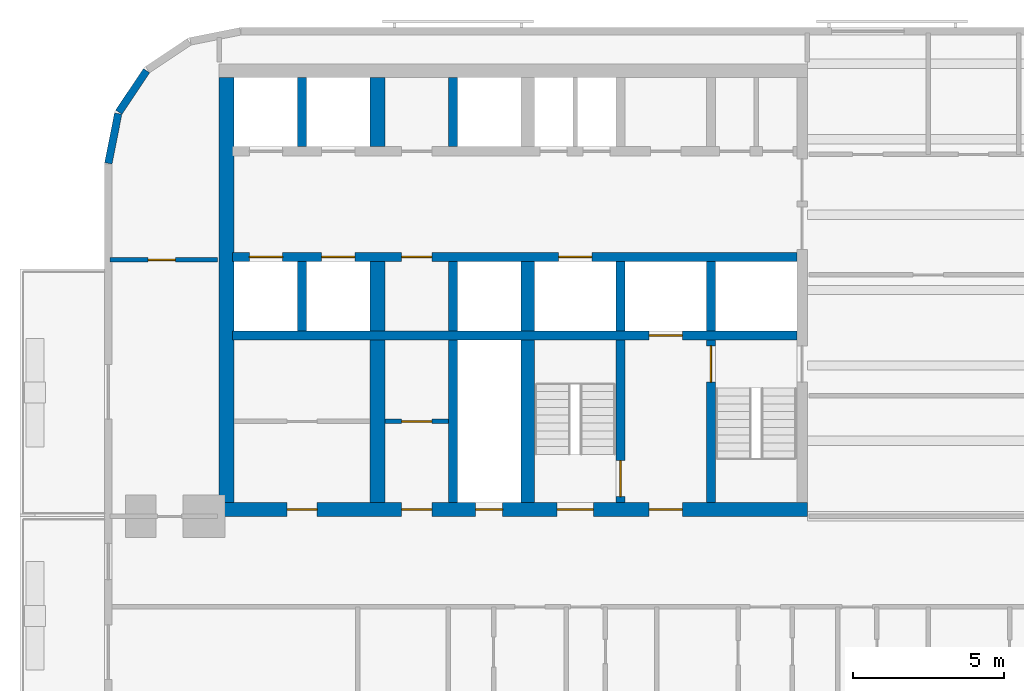
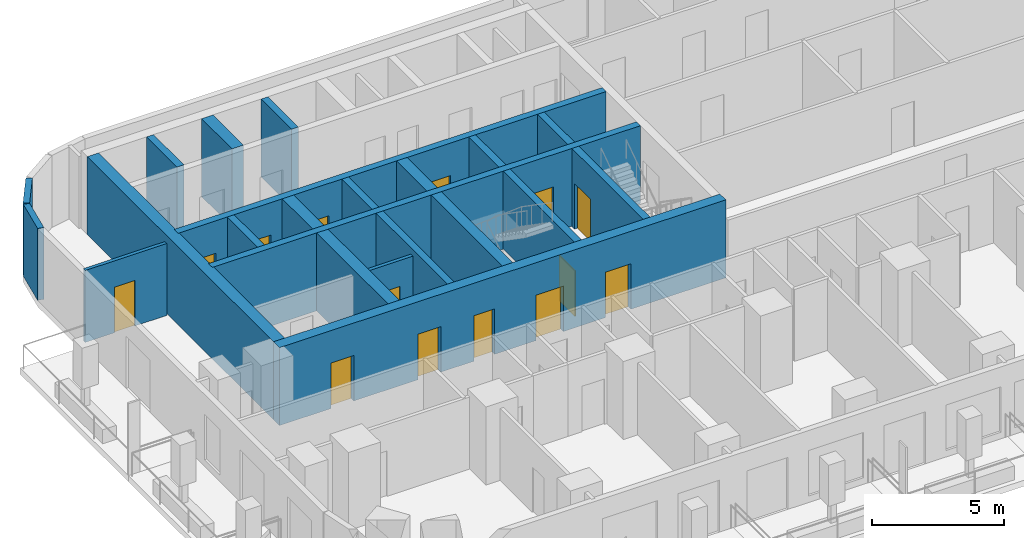
# One storey, part 3 of 15: 22 walls, 14 doors, 14 openings.
"""IFC4 building model written with IfcOpenShell, lengths in metres."""

from ifc_helpers import new_model, si_unit, direction, frame, frame_2d, origin, place, context, subcontext, project, spatial, rectangle, extrude, material, layer, layer_set, type_object, element, fill, save


model = new_model("IFC4")

# Units and contexts
model_context = context("Model", 3, precision=1e-05, world=origin(), true_north=direction((0.0, 1.0)))
body_context = subcontext(model_context, "Body", "Model", "MODEL_VIEW")
ifc_project = project(units=[si_unit("LENGTHUNIT", "METRE"), si_unit("AREAUNIT", "SQUARE_METRE"), si_unit("VOLUMEUNIT", "CUBIC_METRE"), si_unit("PLANEANGLEUNIT", "RADIAN"), si_unit("MASSUNIT", "GRAM", prefix="KILO")], contexts=[model_context])

# Site, building, storey
site_placement = place(None, origin())
site = spatial("IfcSite", under=ifc_project, at=site_placement, CompositionType="ELEMENT")
building_placement = place(site_placement, origin())
building = spatial("IfcBuilding", under=site, at=building_placement, Name="Torana Hotel and Residences", CompositionType="ELEMENT")
storey_placement = place(building_placement, frame((0.0, 0.0, 67.199951171875)))
storey = spatial("IfcBuildingStorey", under=building, at=storey_placement, Name="L16", CompositionType="ELEMENT", Elevation=67.199951171875)

# Wall, openings, doors
ifc_material_1 = material(Name="Concrete C80/95", Category="concrete")
ifc_layer_1 = layer(ifc_material_1, 0.300048828125)
ifc_layer_set_1 = layer_set([ifc_layer_1], Name="CORE WALL 300 C80/95")
wall_type_1 = type_object("IfcWallType", Name="CORE WALL 300 C80/95", PredefinedType="SHEAR", material=ifc_layer_set_1)
wall_1_placement = place(storey_placement, frame((-29.050048828125, -6.39990234375, 0.0), z_axis=(0.0, 0.0, 1.0), x_axis=(1.0, 0.0, 0.0)))
wall_1 = element("IfcWall", 1, at=wall_1_placement, inside=storey, type_object=wall_type_1, Name="Core wall W row-S", PredefinedType="SHEAR", context=body_context, shape_type="SweptSolid", body=[
    extrude(rectangle(XDim=18.699951171875, YDim=0.300048828125, at=frame_2d((9.35009765625, 0.0))), origin(), (0.0, 0.0, 1.0), 3.60009765625),
])
opening_1_placement = place(wall_1_placement, frame((2.949951171875, 0.0, 0.0)))
opening_1 = element("IfcOpeningElement", 2, at=opening_1_placement, cuts=wall_1, Name="Opening LD", PredefinedType="OPENING", context=body_context, shape_type="SweptSolid", body=[
    extrude(rectangle(XDim=1.10009765625, YDim=2.10009765625, at=frame_2d((0.550048828125, 1.050048828125))), frame((0.0, 0.159912109375, 0.0), z_axis=(0.0, -1.0, 0.0), x_axis=(1.0, 0.0, 0.0)), (0.0, 0.0, 1.0), 0.320068359375),
])
opening_2_placement = place(wall_1_placement, frame((0.550048828125, 0.0, 0.0)))
opening_2 = element("IfcOpeningElement", 3, at=opening_2_placement, cuts=wall_1, Name="Opening LD", PredefinedType="OPENING", context=body_context, shape_type="SweptSolid", body=[
    extrude(rectangle(XDim=1.10009765625, YDim=2.10009765625, at=frame_2d((0.550048828125, 1.050048828125))), frame((0.0, 0.159912109375, 0.0), z_axis=(0.0, -1.0, 0.0), x_axis=(1.0, 0.0, 0.0)), (0.0, 0.0, 1.0), 0.320068359375),
])
opening_3_placement = place(wall_1_placement, frame((10.800048828125, 0.0, 0.0)))
opening_3 = element("IfcOpeningElement", 4, at=opening_3_placement, cuts=wall_1, Name="Opening LD", PredefinedType="OPENING", context=body_context, shape_type="SweptSolid", body=[
    extrude(rectangle(XDim=1.10009765625, YDim=2.10009765625, at=frame_2d((0.550048828125, 1.050048828125))), frame((0.0, 0.159912109375, 0.0), z_axis=(0.0, -1.0, 0.0), x_axis=(1.0, 0.0, 0.0)), (0.0, 0.0, 1.0), 0.320068359375),
])
opening_4_placement = place(wall_1_placement, frame((5.60009765625, 0.0, 0.0)))
opening_4 = element("IfcOpeningElement", 5, at=opening_4_placement, cuts=wall_1, Name="Opening L16-15", PredefinedType="OPENING", context=body_context, shape_type="SweptSolid", body=[
    extrude(rectangle(XDim=1.0, YDim=2.10009765625, at=frame_2d((0.5, 1.050048828125))), frame((0.0, 0.159912109375, 0.0), z_axis=(0.0, -1.0, 0.0), x_axis=(1.0, 0.0, 0.0)), (0.0, 0.0, 1.0), 0.320068359375),
])
ifc_material_2 = material(Name="Steel S235", Category="steel")
door_type_1 = type_object("IfcDoorType", Name="CORE ROOM FIRE DOOR D14 1000x2100", OperationType="SINGLE_SWING_LEFT", PredefinedType="DOOR", material=ifc_material_2)
door_1_placement = place(opening_4_placement, frame((0.5, 0.0, 0.0), z_axis=(0.0, 0.0, 1.0), x_axis=(-1.0, 0.0, 0.0)))
door_1 = element("IfcDoor", 6, at=door_1_placement, inside=storey, type_object=door_type_1, Name="Free-M2 door L16", OperationType="SINGLE_SWING_LEFT", OverallHeight=2.10009765625, OverallWidth=1.0, PredefinedType="DOOR", context=body_context, shape_type="SweptSolid", body=[
    extrude(rectangle(XDim=1.0, YDim=2.10009765625, at=frame_2d((0.0, 1.050048828125))), frame((0.0, -0.02490234375, 0.0), z_axis=(0.0, 1.0, 0.0), x_axis=(-1.0, 0.0, 0.0)), (0.0, 0.0, 1.0), 0.050048828125),
])
fill(opening_4, door_1)
ifc_material_3 = material(Name="Stainless steel 316", Category="steel")
door_type_2 = type_object("IfcDoorType", Name="LIFT LANDING DOOR LD 1100x2100", OperationType="DOUBLE_DOOR_SLIDING", PredefinedType="USERDEFINED", material=ifc_material_3)
door_2_placement = place(opening_1_placement, origin())
door_2 = element("IfcDoor", 7, at=door_2_placement, inside=storey, type_object=door_type_2, Name="Lift landing door L3 L16", ObjectType="LIFT LANDING DOOR", OperationType="DOUBLE_DOOR_SLIDING", OverallHeight=2.10009765625, OverallWidth=1.10009765625, PredefinedType="USERDEFINED", context=body_context, shape_type="SweptSolid", body=[
    extrude(rectangle(XDim=1.10009765625, YDim=2.10009765625, at=frame_2d((0.550048828125, 1.050048828125))), frame((0.0, 0.02490234375, 0.0), z_axis=(0.0, -1.0, 0.0), x_axis=(1.0, 0.0, 0.0)), (0.0, 0.0, 1.0), 0.050048828125),
])
fill(opening_1, door_2)
door_3_placement = place(opening_2_placement, origin())
door_3 = element("IfcDoor", 8, at=door_3_placement, inside=storey, type_object=door_type_2, Name="Lift landing door L4 L16", ObjectType="LIFT LANDING DOOR", OperationType="DOUBLE_DOOR_SLIDING", OverallHeight=2.10009765625, OverallWidth=1.10009765625, PredefinedType="USERDEFINED", context=body_context, shape_type="SweptSolid", body=[
    extrude(rectangle(XDim=1.10009765625, YDim=2.10009765625, at=frame_2d((0.550048828125, 1.050048828125))), frame((0.0, 0.02490234375, 0.0), z_axis=(0.0, -1.0, 0.0), x_axis=(1.0, 0.0, 0.0)), (0.0, 0.0, 1.0), 0.050048828125),
])
fill(opening_2, door_3)
door_4_placement = place(opening_3_placement, origin())
door_4 = element("IfcDoor", 9, at=door_4_placement, inside=storey, type_object=door_type_2, Name="Lift landing door SV1 L16", ObjectType="LIFT LANDING DOOR", OperationType="DOUBLE_DOOR_SLIDING", OverallHeight=2.10009765625, OverallWidth=1.10009765625, PredefinedType="USERDEFINED", context=body_context, shape_type="SweptSolid", body=[
    extrude(rectangle(XDim=1.10009765625, YDim=2.10009765625, at=frame_2d((0.550048828125, 1.050048828125))), frame((0.0, 0.02490234375, 0.0), z_axis=(0.0, -1.0, 0.0), x_axis=(1.0, 0.0, 0.0)), (0.0, 0.0, 1.0), 0.050048828125),
])
fill(opening_3, door_4)

# Wall, opening, door
wall_2_placement = place(storey_placement, frame((-29.050048828125, -9.0, 0.0), z_axis=(0.0, 0.0, 1.0), x_axis=(1.0, 0.0, 0.0)))
wall_2 = element("IfcWall", 10, at=wall_2_placement, inside=storey, type_object=wall_type_1, Name="Core wall W band", PredefinedType="SHEAR", context=body_context, shape_type="SweptSolid", body=[
    extrude(rectangle(XDim=18.699951171875, YDim=0.300048828125, at=frame_2d((9.35009765625, 0.0))), origin(), (0.0, 0.0, 1.0), 3.60009765625),
])
opening_5_placement = place(wall_2_placement, frame((13.800048828125, 0.0, 0.0)))
opening_5 = element("IfcOpeningElement", 11, at=opening_5_placement, cuts=wall_2, Name="Opening LD", PredefinedType="OPENING", context=body_context, shape_type="SweptSolid", body=[
    extrude(rectangle(XDim=1.10009765625, YDim=2.10009765625, at=frame_2d((0.550048828125, 1.050048828125))), frame((0.0, 0.159912109375, 0.0), z_axis=(0.0, -1.0, 0.0), x_axis=(1.0, 0.0, 0.0)), (0.0, 0.0, 1.0), 0.320068359375),
])
door_5_placement = place(opening_5_placement, origin())
door_5 = element("IfcDoor", 12, at=door_5_placement, inside=storey, type_object=door_type_2, Name="Lift landing door FF1 L16", ObjectType="LIFT LANDING DOOR", OperationType="DOUBLE_DOOR_SLIDING", OverallHeight=2.10009765625, OverallWidth=1.10009765625, PredefinedType="USERDEFINED", context=body_context, shape_type="SweptSolid", body=[
    extrude(rectangle(XDim=1.10009765625, YDim=2.10009765625, at=frame_2d((0.550048828125, 1.050048828125))), frame((0.0, 0.02490234375, 0.0), z_axis=(0.0, -1.0, 0.0), x_axis=(1.0, 0.0, 0.0)), (0.0, 0.0, 1.0), 0.050048828125),
])
fill(opening_5, door_5)

# Wall
wall_3_placement = place(storey_placement, frame((-13.199951171875, -8.85009765625, 0.0), z_axis=(0.0, 0.0, 1.0), x_axis=(0.0, 1.0, 0.0)))
element("IfcWall", 13, at=wall_3_placement, inside=storey, type_object=wall_type_1, Name="Core wall W x3.05-S", PredefinedType="SHEAR", context=body_context, shape_type="SweptSolid", body=[
    extrude(rectangle(XDim=2.300048828125, YDim=0.300048828125, at=frame_2d((1.14990234375, 0.0))), origin(), (0.0, 0.0, 1.0), 3.60009765625),
])

# Wall, opening, door
wall_4_placement = place(storey_placement, frame((-13.199951171875, -14.550048828125, 0.0), z_axis=(0.0, 0.0, 1.0), x_axis=(0.0, 1.0, 0.0)))
wall_4 = element("IfcWall", 14, at=wall_4_placement, inside=storey, type_object=wall_type_1, Name="Core wall W x3.05-band", PredefinedType="SHEAR", context=body_context, shape_type="SweptSolid", body=[
    extrude(rectangle(XDim=5.400146484375, YDim=0.300048828125, at=frame_2d((2.7001953125, 0.0))), origin(), (0.0, 0.0, 1.0), 3.60009765625),
])
opening_6_placement = place(wall_4_placement, frame((4.0, 0.0, 0.0)))
opening_6 = element("IfcOpeningElement", 15, at=opening_6_placement, cuts=wall_4, Name="Opening L16-16", PredefinedType="OPENING", context=body_context, shape_type="SweptSolid", body=[
    extrude(rectangle(XDim=1.199951171875, YDim=2.10009765625, at=frame_2d((0.60009765625, 1.050048828125))), frame((0.0, 0.159912109375, 0.0), z_axis=(0.0, -1.0, 0.0), x_axis=(1.0, 0.0, 0.0)), (0.0, 0.0, 1.0), 0.320068359375),
])
ifc_material_4 = material(Name="Steel S235", Category="steel")
door_type_3 = type_object("IfcDoorType", Name="STAIR FIRE DOOR D3 1200x2100", OperationType="SINGLE_SWING_LEFT", PredefinedType="DOOR", material=ifc_material_4)
door_6_placement = place(opening_6_placement, frame((0.60009765625, 0.0, 0.0), z_axis=(0.0, 0.0, 1.0), x_axis=(-1.0, 0.0, 0.0)))
door_6 = element("IfcDoor", 16, at=door_6_placement, inside=storey, type_object=door_type_3, Name="Stair-A-lobby door L16", OperationType="SINGLE_SWING_RIGHT", OverallHeight=2.10009765625, OverallWidth=1.199951171875, PredefinedType="DOOR", context=body_context, shape_type="SweptSolid", body=[
    extrude(rectangle(XDim=1.199951171875, YDim=2.10009765625, at=frame_2d((0.0, 1.050048828125))), frame((0.0, -0.02490234375, 0.0), z_axis=(0.0, 1.0, 0.0), x_axis=(-1.0, 0.0, 0.0)), (0.0, 0.0, 1.0), 0.050048828125),
])
fill(opening_6, door_6)

# Wall
wall_5_placement = place(storey_placement, frame((-16.199951171875, -8.85009765625, 0.0), z_axis=(0.0, 0.0, 1.0), x_axis=(0.0, 1.0, 0.0)))
element("IfcWall", 17, at=wall_5_placement, inside=storey, type_object=wall_type_1, Name="Core wall W x6.05-S", PredefinedType="SHEAR", context=body_context, shape_type="SweptSolid", body=[
    extrude(rectangle(XDim=2.300048828125, YDim=0.300048828125, at=frame_2d((1.14990234375, 0.0))), origin(), (0.0, 0.0, 1.0), 3.60009765625),
])

# Wall, opening, door
wall_6_placement = place(storey_placement, frame((-16.199951171875, -14.550048828125, 0.0), z_axis=(0.0, 0.0, 1.0), x_axis=(0.0, 1.0, 0.0)))
wall_6 = element("IfcWall", 18, at=wall_6_placement, inside=storey, type_object=wall_type_1, Name="Core wall W x6.05-band", PredefinedType="SHEAR", context=body_context, shape_type="SweptSolid", body=[
    extrude(rectangle(XDim=5.400146484375, YDim=0.300048828125, at=frame_2d((2.7001953125, 0.0))), origin(), (0.0, 0.0, 1.0), 3.60009765625),
])
opening_7_placement = place(wall_6_placement, frame((0.199951171875, 0.0, 0.0)))
opening_7 = element("IfcOpeningElement", 19, at=opening_7_placement, cuts=wall_6, Name="Opening L16-17", PredefinedType="OPENING", context=body_context, shape_type="SweptSolid", body=[
    extrude(rectangle(XDim=1.199951171875, YDim=2.10009765625, at=frame_2d((0.60009765625, 1.050048828125))), frame((0.0, 0.159912109375, 0.0), z_axis=(0.0, -1.0, 0.0), x_axis=(1.0, 0.0, 0.0)), (0.0, 0.0, 1.0), 0.320068359375),
])
door_7_placement = place(opening_7_placement, origin())
door_7 = element("IfcDoor", 20, at=door_7_placement, inside=storey, type_object=door_type_3, Name="Stair-B-lobby door L16", OperationType="SINGLE_SWING_RIGHT", OverallHeight=2.10009765625, OverallWidth=1.199951171875, PredefinedType="DOOR", context=body_context, shape_type="SweptSolid", body=[
    extrude(rectangle(XDim=1.199951171875, YDim=2.10009765625, at=frame_2d((0.60009765625, 1.050048828125))), frame((0.0, 0.02490234375, 0.0), z_axis=(0.0, -1.0, 0.0), x_axis=(1.0, 0.0, 0.0)), (0.0, 0.0, 1.0), 0.050048828125),
])
fill(opening_7, door_7)

# Walls
for number, where, z_axis, x_axis, name in (
    (21, (-21.75, -2.75, 0.0), (0.0, 0.0, 1.0), (0.0, 1.0, 0.0), "Core wall W mm-N"),
    (22, (-21.75, -8.85009765625, 0.0), (0.0, 0.0, 1.0), (0.0, 1.0, 0.0), "Core wall W mm-S"),
):
    element("IfcWall", number, at=place(storey_placement, frame(where, z_axis=z_axis, x_axis=x_axis)), inside=storey, type_object=wall_type_1, Name=name, PredefinedType="SHEAR", context=body_context, shape_type="SweptSolid", body=[
        extrude(rectangle(XDim=2.300048828125, YDim=0.300048828125, at=frame_2d((1.14990234375, 0.0))), origin(), (0.0, 0.0, 1.0), 3.60009765625),
    ])
wall_7_placement = place(storey_placement, frame((-21.75, -14.550048828125, 0.0), z_axis=(0.0, 0.0, 1.0), x_axis=(0.0, 1.0, 0.0)))
element("IfcWall", 23, at=wall_7_placement, inside=storey, type_object=wall_type_1, Name="Core wall W mm-band", PredefinedType="SHEAR", context=body_context, shape_type="SweptSolid", body=[
    extrude(rectangle(XDim=5.400146484375, YDim=0.300048828125, at=frame_2d((2.7001953125, 0.0))), origin(), (0.0, 0.0, 1.0), 3.60009765625),
])
for number, where, z_axis, x_axis, name in (
    (24, (-26.75, -2.75, 0.0), (0.0, 0.0, 1.0), (0.0, 1.0, 0.0), "Core wall W ll-N"),
    (25, (-26.75, -8.85009765625, 0.0), (0.0, 0.0, 1.0), (0.0, 1.0, 0.0), "Core wall W ll-S"),
):
    element("IfcWall", number, at=place(storey_placement, frame(where, z_axis=z_axis, x_axis=x_axis)), inside=storey, type_object=wall_type_1, Name=name, PredefinedType="SHEAR", context=body_context, shape_type="SweptSolid", body=[
        extrude(rectangle(XDim=2.300048828125, YDim=0.300048828125, at=frame_2d((1.14990234375, 0.0))), origin(), (0.0, 0.0, 1.0), 3.60009765625),
    ])

# Wall, openings, doors
ifc_material_5 = material(Name="Concrete C80/95", Category="concrete")
ifc_layer_2 = layer(ifc_material_5, 0.449951171875)
ifc_layer_set_2 = layer_set([ifc_layer_2], Name="CORE WALL 450 C80/95")
wall_type_2 = type_object("IfcWallType", Name="CORE WALL 450 C80/95", PredefinedType="SHEAR", material=ifc_layer_set_2)
wall_8_placement = place(storey_placement, frame((-29.5, -14.77490234375, 0.0), z_axis=(0.0, 0.0, 1.0), x_axis=(1.0, 0.0, 0.0)))
wall_8 = element("IfcWall", 26, at=wall_8_placement, inside=storey, type_object=wall_type_2, Name="Core wall W front", PredefinedType="SHEAR", context=body_context, shape_type="SweptSolid", body=[
    extrude(rectangle(XDim=19.5, YDim=0.449951171875, at=frame_2d((9.75, 0.0))), origin(), (0.0, 0.0, 1.0), 3.60009765625),
])
opening_8_placement = place(wall_8_placement, frame((11.199951171875, 0.0, 0.0)))
opening_8 = element("IfcOpeningElement", 27, at=opening_8_placement, cuts=wall_8, Name="Opening L16-04", PredefinedType="OPENING", context=body_context, shape_type="SweptSolid", body=[
    extrude(rectangle(XDim=1.199951171875, YDim=2.10009765625, at=frame_2d((0.60009765625, 1.050048828125))), frame((0.0, 0.23486328125, 0.0), z_axis=(0.0, -1.0, 0.0), x_axis=(1.0, 0.0, 0.0)), (0.0, 0.0, 1.0), 0.469970703125),
])
opening_9_placement = place(wall_8_placement, frame((14.25, 0.0, 0.0)))
opening_9 = element("IfcOpeningElement", 28, at=opening_9_placement, cuts=wall_8, Name="Opening L16-05", PredefinedType="OPENING", context=body_context, shape_type="SweptSolid", body=[
    extrude(rectangle(XDim=1.10009765625, YDim=2.10009765625, at=frame_2d((0.550048828125, 1.050048828125))), frame((0.0, 0.23486328125, 0.0), z_axis=(0.0, -1.0, 0.0), x_axis=(1.0, 0.0, 0.0)), (0.0, 0.0, 1.0), 0.469970703125),
])
opening_10_placement = place(wall_8_placement, frame((8.5, 0.0, 0.0)))
opening_10 = element("IfcOpeningElement", 29, at=opening_10_placement, cuts=wall_8, Name="Opening L16-06", PredefinedType="OPENING", context=body_context, shape_type="SweptSolid", body=[
    extrude(rectangle(XDim=0.89990234375, YDim=2.10009765625, at=frame_2d((0.449951171875, 1.050048828125))), frame((0.0, 0.23486328125, 0.0), z_axis=(0.0, -1.0, 0.0), x_axis=(1.0, 0.0, 0.0)), (0.0, 0.0, 1.0), 0.469970703125),
])
opening_11_placement = place(wall_8_placement, frame((6.050048828125, 0.0, 0.0)))
opening_11 = element("IfcOpeningElement", 30, at=opening_11_placement, cuts=wall_8, Name="Opening L16-07", PredefinedType="OPENING", context=body_context, shape_type="SweptSolid", body=[
    extrude(rectangle(XDim=1.0, YDim=2.10009765625, at=frame_2d((0.5, 1.050048828125))), frame((0.0, 0.23486328125, 0.0), z_axis=(0.0, -1.0, 0.0), x_axis=(1.0, 0.0, 0.0)), (0.0, 0.0, 1.0), 0.469970703125),
])
opening_12_placement = place(wall_8_placement, frame((2.25, 0.0, 0.0)))
opening_12 = element("IfcOpeningElement", 31, at=opening_12_placement, cuts=wall_8, Name="Opening L16-08", PredefinedType="OPENING", context=body_context, shape_type="SweptSolid", body=[
    extrude(rectangle(XDim=1.0, YDim=2.10009765625, at=frame_2d((0.5, 1.050048828125))), frame((0.0, 0.23486328125, 0.0), z_axis=(0.0, -1.0, 0.0), x_axis=(1.0, 0.0, 0.0)), (0.0, 0.0, 1.0), 0.469970703125),
])
door_8_placement = place(opening_11_placement, origin())
door_8 = element("IfcDoor", 32, at=door_8_placement, inside=storey, type_object=door_type_1, Name="M-Room-B door L16", OperationType="SINGLE_SWING_RIGHT", OverallHeight=2.10009765625, OverallWidth=1.0, PredefinedType="DOOR", context=body_context, shape_type="SweptSolid", body=[
    extrude(rectangle(XDim=1.0, YDim=2.10009765625, at=frame_2d((0.5, 1.050048828125))), frame((0.0, 0.02490234375, 0.0), z_axis=(0.0, -1.0, 0.0), x_axis=(1.0, 0.0, 0.0)), (0.0, 0.0, 1.0), 0.050048828125),
])
fill(opening_11, door_8)
door_9_placement = place(opening_12_placement, origin())
door_9 = element("IfcDoor", 33, at=door_9_placement, inside=storey, type_object=door_type_1, Name="L-B door L16", OperationType="SINGLE_SWING_RIGHT", OverallHeight=2.10009765625, OverallWidth=1.0, PredefinedType="DOOR", context=body_context, shape_type="SweptSolid", body=[
    extrude(rectangle(XDim=1.0, YDim=2.10009765625, at=frame_2d((0.5, 1.050048828125))), frame((0.0, 0.02490234375, 0.0), z_axis=(0.0, -1.0, 0.0), x_axis=(1.0, 0.0, 0.0)), (0.0, 0.0, 1.0), 0.050048828125),
])
fill(opening_12, door_9)
ifc_material_6 = material(Name="Steel S235", Category="steel")
door_type_4 = type_object("IfcDoorType", Name="FIRE-FIGHTING LOBBY DOOR D8 1100x2100", OperationType="SINGLE_SWING_LEFT", PredefinedType="DOOR", material=ifc_material_6)
door_10_placement = place(opening_9_placement, origin())
door_10 = element("IfcDoor", 34, at=door_10_placement, inside=storey, type_object=door_type_4, Name="FF-lobby door L16", OperationType="SINGLE_SWING_RIGHT", OverallHeight=2.10009765625, OverallWidth=1.10009765625, PredefinedType="DOOR", context=body_context, shape_type="SweptSolid", body=[
    extrude(rectangle(XDim=1.10009765625, YDim=2.10009765625, at=frame_2d((0.550048828125, 1.050048828125))), frame((0.0, 0.02490234375, 0.0), z_axis=(0.0, -1.0, 0.0), x_axis=(1.0, 0.0, 0.0)), (0.0, 0.0, 1.0), 0.050048828125),
])
fill(opening_9, door_10)
ifc_material_7 = material(Name="Steel S235", Category="steel")
door_type_5 = type_object("IfcDoorType", Name="RISER ACCESS DOOR D5 900x2100", OperationType="SINGLE_SWING_LEFT", PredefinedType="DOOR", material=ifc_material_7)
door_11_placement = place(opening_10_placement, origin())
door_11 = element("IfcDoor", 35, at=door_11_placement, inside=storey, type_object=door_type_5, Name="M-Riser door L16", OperationType="SINGLE_SWING_RIGHT", OverallHeight=2.10009765625, OverallWidth=0.89990234375, PredefinedType="DOOR", context=body_context, shape_type="SweptSolid", body=[
    extrude(rectangle(XDim=0.89990234375, YDim=2.10009765625, at=frame_2d((0.449951171875, 1.050048828125))), frame((0.0, 0.02490234375, 0.0), z_axis=(0.0, -1.0, 0.0), x_axis=(1.0, 0.0, 0.0)), (0.0, 0.0, 1.0), 0.050048828125),
])
fill(opening_10, door_11)
door_12_placement = place(opening_8_placement, origin())
door_12 = element("IfcDoor", 36, at=door_12_placement, inside=storey, type_object=door_type_3, Name="Stair-B door L16", OperationType="SINGLE_SWING_RIGHT", OverallHeight=2.10009765625, OverallWidth=1.199951171875, PredefinedType="DOOR", context=body_context, shape_type="SweptSolid", body=[
    extrude(rectangle(XDim=1.199951171875, YDim=2.10009765625, at=frame_2d((0.60009765625, 1.050048828125))), frame((0.0, 0.02490234375, 0.0), z_axis=(0.0, -1.0, 0.0), x_axis=(1.0, 0.0, 0.0)), (0.0, 0.0, 1.0), 0.050048828125),
])
fill(opening_8, door_12)

# Walls
wall_9_placement = place(storey_placement, frame((-19.27490234375, -8.85009765625, 0.0), z_axis=(0.0, 0.0, 1.0), x_axis=(0.0, 1.0, 0.0)))
element("IfcWall", 37, at=wall_9_placement, inside=storey, type_object=wall_type_2, Name="Core wall W hm-S", PredefinedType="SHEAR", context=body_context, shape_type="SweptSolid", body=[
    extrude(rectangle(XDim=2.300048828125, YDim=0.449951171875, at=frame_2d((1.14990234375, 0.0))), origin(), (0.0, 0.0, 1.0), 3.60009765625),
])
wall_10_placement = place(storey_placement, frame((-19.27490234375, -14.550048828125, 0.0), z_axis=(0.0, 0.0, 1.0), x_axis=(0.0, 1.0, 0.0)))
element("IfcWall", 38, at=wall_10_placement, inside=storey, type_object=wall_type_2, Name="Core wall W hm-band", PredefinedType="SHEAR", context=body_context, shape_type="SweptSolid", body=[
    extrude(rectangle(XDim=5.400146484375, YDim=0.449951171875, at=frame_2d((2.7001953125, 0.0))), origin(), (0.0, 0.0, 1.0), 3.60009765625),
])
ifc_material_8 = material(Name="Concrete C80/95", Category="concrete")
ifc_layer_3 = layer(ifc_material_8, 0.5)
ifc_layer_set_3 = layer_set([ifc_layer_3], Name="CORE WALL 500 C80/95")
wall_type_3 = type_object("IfcWallType", Name="CORE WALL 500 C80/95", PredefinedType="SHEAR", material=ifc_layer_set_3)
wall_11_placement = place(storey_placement, frame((-29.25, -14.550048828125, 0.0), z_axis=(0.0, 0.0, 1.0), x_axis=(0.0, 1.0, 0.0)))
element("IfcWall", 39, at=wall_11_placement, inside=storey, type_object=wall_type_3, Name="Core wall W outer", PredefinedType="SHEAR", context=body_context, shape_type="SweptSolid", body=[
    extrude(rectangle(XDim=14.10009765625, YDim=0.5, at=frame_2d((7.050048828125, 0.0))), origin(), (0.0, 0.0, 1.0), 3.60009765625),
])
for number, where, z_axis, x_axis, name in (
    (40, (-24.25, -2.75, 0.0), (0.0, 0.0, 1.0), (0.0, 1.0, 0.0), "Core wall W ml-N"),
    (41, (-24.25, -8.85009765625, 0.0), (0.0, 0.0, 1.0), (0.0, 1.0, 0.0), "Core wall W ml-S"),
):
    element("IfcWall", number, at=place(storey_placement, frame(where, z_axis=z_axis, x_axis=x_axis)), inside=storey, type_object=wall_type_3, Name=name, PredefinedType="SHEAR", context=body_context, shape_type="SweptSolid", body=[
        extrude(rectangle(XDim=2.300048828125, YDim=0.5, at=frame_2d((1.14990234375, 0.0))), origin(), (0.0, 0.0, 1.0), 3.60009765625),
    ])
wall_12_placement = place(storey_placement, frame((-24.25, -14.550048828125, 0.0), z_axis=(0.0, 0.0, 1.0), x_axis=(0.0, 1.0, 0.0)))
element("IfcWall", 42, at=wall_12_placement, inside=storey, type_object=wall_type_3, Name="Core wall W ml-band", PredefinedType="SHEAR", context=body_context, shape_type="SweptSolid", body=[
    extrude(rectangle(XDim=5.400146484375, YDim=0.5, at=frame_2d((2.7001953125, 0.0))), origin(), (0.0, 0.0, 1.0), 3.60009765625),
])
ifc_material_9 = material(Name="Black aluminium composite panel", Category="aluminium")
ifc_layer_4 = layer(ifc_material_9, 0.00390625, Name="Cladding", Category="cladding")
ifc_material_10 = material(Name="Ventilated air cavity")
ifc_layer_5 = layer(ifc_material_10, 0.0400390625, Name="Ventilated cavity", Category="cavity")
ifc_material_11 = material(Name="Mineral wool insulation")
ifc_layer_6 = layer(ifc_material_11, 0.090087890625, Name="Insulation", Category="insulation")
ifc_material_12 = material(Name="Steel S280GD", Category="steel")
ifc_layer_7 = layer(ifc_material_12, 0.092041015625, Name="Steel stud frame", Category="structure")
ifc_material_13 = material(Name="Fire rated plasterboard")
ifc_layer_8 = layer(ifc_material_13, 0.011962890625, Name="Inner board", Category="finish")
ifc_layer_9 = layer(ifc_material_13, 0.011962890625, Name="Second board", Category="finish")
ifc_layer_set_4 = layer_set([ifc_layer_4, ifc_layer_5, ifc_layer_6, ifc_layer_7, ifc_layer_8, ifc_layer_9], Name="EW1 EXTERNAL WALL BLACK METAL CLAD 250")
wall_type_4 = type_object("IfcWallType", Name="EW1 EXTERNAL WALL BLACK METAL CLAD 250", PredefinedType="SOLIDWALL", material=ifc_layer_set_4)
wall_13_placement = place(storey_placement, frame((-31.90576171875, -0.228759765625, 0.0), z_axis=(0.0, 0.0, 1.0), x_axis=(-0.55555029066, -0.831482937015, 0.0)))
element("IfcWall", 43, at=wall_13_placement, inside=storey, type_object=wall_type_4, Name="External wall L16 e0.7", PredefinedType="SOLIDWALL", context=body_context, shape_type="SweptSolid", body=[
    extrude(rectangle(XDim=1.65625, YDim=0.25, at=frame_2d((0.828125, 0.0))), origin(), (0.0, 0.0, 1.0), 3.320068359375),
])
wall_14_placement = place(storey_placement, frame((-32.844482421875, -1.651123046875, 0.0), z_axis=(0.0, 0.0, 1.0), x_axis=(-0.19513878023, -0.980775640221, 0.0)))
element("IfcWall", 44, at=wall_14_placement, inside=storey, type_object=wall_type_4, Name="External wall L16 e0.8", PredefinedType="SOLIDWALL", context=body_context, shape_type="SweptSolid", body=[
    extrude(rectangle(XDim=1.681396484375, YDim=0.25, at=frame_2d((0.8408203125, 0.0))), origin(), (0.0, 0.0, 1.0), 3.320068359375),
])

# Wall, opening, door
ifc_material_14 = material(Name="Gypsum plaster")
ifc_layer_10 = layer(ifc_material_14, 0.014892578125, Name="Plaster", Category="finish")
ifc_material_15 = material(Name="Concrete blockwork", Category="masonry")
ifc_layer_11 = layer(ifc_material_15, 0.1201171875, Name="Blockwork", Category="structure")
ifc_layer_12 = layer(ifc_material_14, 0.014892578125, Name="Plaster", Category="finish")
ifc_layer_set_5 = layer_set([ifc_layer_10, ifc_layer_11, ifc_layer_12], Name="FIRE PARTITION 150 BLOCKWORK")
wall_type_5 = type_object("IfcWallType", Name="FIRE PARTITION 150 BLOCKWORK", PredefinedType="PARTITIONING", material=ifc_layer_set_5)
wall_15_placement = place(storey_placement, frame((-24.0, -11.85009765625, 0.0), z_axis=(0.0, 0.0, 1.0), x_axis=(1.0, 0.0, 0.0)))
wall_15 = element("IfcWall", 45, at=wall_15_placement, inside=storey, type_object=wall_type_5, Name="Core partition L16", PredefinedType="PARTITIONING", context=body_context, shape_type="SweptSolid", body=[
    extrude(rectangle(XDim=2.10009765625, YDim=0.14990234375, at=frame_2d((1.050048828125, 0.0))), origin(), (0.0, 0.0, 1.0), 3.300048828125),
])
opening_13_placement = place(wall_15_placement, frame((0.550048828125, 0.0, 0.0)))
opening_13 = element("IfcOpeningElement", 46, at=opening_13_placement, cuts=wall_15, Name="Opening L16-35", PredefinedType="OPENING", context=body_context, shape_type="SweptSolid", body=[
    extrude(rectangle(XDim=1.0, YDim=2.10009765625, at=frame_2d((0.5, 1.050048828125))), frame((0.0, 0.0849609375, 0.0), z_axis=(0.0, -1.0, 0.0), x_axis=(1.0, 0.0, 0.0)), (0.0, 0.0, 1.0), 0.169921875),
])
door_13_placement = place(opening_13_placement, origin())
door_13 = element("IfcDoor", 47, at=door_13_placement, inside=storey, type_object=door_type_1, Name="Plant room door L16", OperationType="SINGLE_SWING_RIGHT", OverallHeight=2.10009765625, OverallWidth=1.0, PredefinedType="DOOR", context=body_context, shape_type="SweptSolid", body=[
    extrude(rectangle(XDim=1.0, YDim=2.10009765625, at=frame_2d((0.5, 1.050048828125))), frame((0.0, 0.02490234375, 0.0), z_axis=(0.0, -1.0, 0.0), x_axis=(1.0, 0.0, 0.0)), (0.0, 0.0, 1.0), 0.050048828125),
])
fill(opening_13, door_13)

ifc_material_16 = material(Name="Gypsum plasterboard")
ifc_layer_13 = layer(ifc_material_16, 0.012451171875, Name="Plasterboard", Category="finish")
ifc_layer_14 = layer(ifc_material_16, 0.012451171875, Name="Plasterboard", Category="finish")
ifc_layer_15 = layer(ifc_material_12, 0.10009765625, Name="Steel studs with mineral wool", Category="insulation")
ifc_layer_16 = layer(ifc_material_16, 0.012451171875, Name="Plasterboard", Category="finish")
ifc_layer_17 = layer(ifc_material_16, 0.012451171875, Name="Plasterboard", Category="finish")
ifc_layer_set_6 = layer_set([ifc_layer_13, ifc_layer_14, ifc_layer_15, ifc_layer_16, ifc_layer_17], Name="PARTITION 150 PLASTERBOARD")
wall_type_6 = type_object("IfcWallType", Name="PARTITION 150 PLASTERBOARD", PredefinedType="PARTITIONING", material=ifc_layer_set_6)
wall_16_placement = place(storey_placement, frame((-33.1201171875, -6.5, 0.0), z_axis=(0.0, 0.0, 1.0), x_axis=(1.0, 0.0, 0.0)))
wall_16 = element("IfcWall", 48, at=wall_16_placement, inside=storey, type_object=wall_type_6, Name="Partition L16", PredefinedType="PARTITIONING", context=body_context, shape_type="SweptSolid", body=[
    extrude(rectangle(XDim=3.570068359375, YDim=0.14990234375, at=frame_2d((1.78515625, 0.0))), origin(), (0.0, 0.0, 1.0), 3.320068359375),
])
opening_14_placement = place(wall_16_placement, frame((1.27001953125, 0.0, 0.0)))
opening_14 = element("IfcOpeningElement", 49, at=opening_14_placement, cuts=wall_16, Name="Opening L16-86", PredefinedType="OPENING", context=body_context, shape_type="SweptSolid", body=[
    extrude(rectangle(XDim=0.89990234375, YDim=2.10009765625, at=frame_2d((0.449951171875, 1.050048828125))), frame((0.0, 0.0849609375, 0.0), z_axis=(0.0, -1.0, 0.0), x_axis=(1.0, 0.0, 0.0)), (0.0, 0.0, 1.0), 0.169921875),
])
ifc_material_17 = material(Name="Timber door, oiled ash", Category="wood")
door_type_6 = type_object("IfcDoorType", Name="ROOM DOOR D7 900x2100", OperationType="SINGLE_SWING_LEFT", PredefinedType="DOOR", material=ifc_material_17)
door_14_placement = place(opening_14_placement, origin())
door_14 = element("IfcDoor", 50, at=door_14_placement, inside=storey, type_object=door_type_6, Name="Door L16", OperationType="SINGLE_SWING_RIGHT", OverallHeight=2.10009765625, OverallWidth=0.89990234375, PredefinedType="DOOR", context=body_context, shape_type="SweptSolid", body=[
    extrude(rectangle(XDim=0.89990234375, YDim=2.10009765625, at=frame_2d((0.449951171875, 1.050048828125))), frame((0.0, 0.02490234375, 0.0), z_axis=(0.0, -1.0, 0.0), x_axis=(1.0, 0.0, 0.0)), (0.0, 0.0, 1.0), 0.050048828125),
])
fill(opening_14, door_14)

save(model, "model.ifc")
